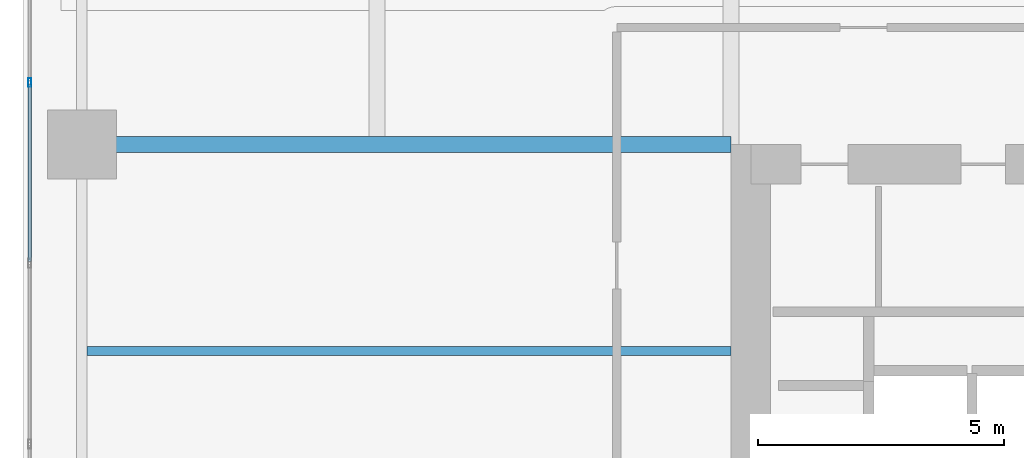
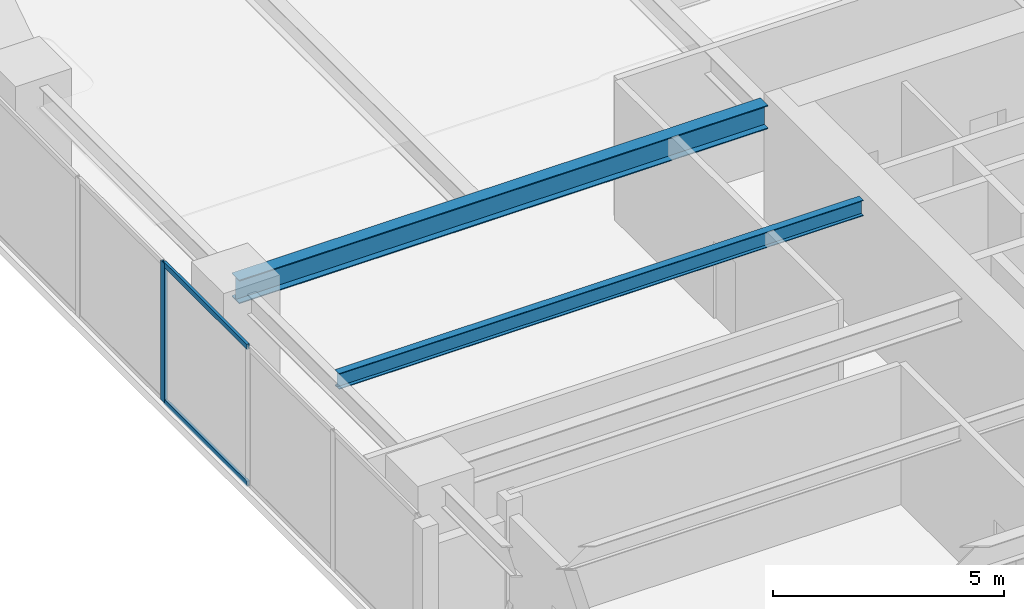
# One storey, part 6 of 31: 3 members, 2 beams, 1 element without a shape of its own.
"""IFC4 building model written with IfcOpenShell, lengths in metres."""

from ifc_helpers import new_model, si_unit, direction, frame, origin, origin_2d, place, context, subcontext, project, spatial, hollow_rectangle, i_section, extrude, material, layer, layer_set, material_profile, profile_set, type_object, element, aggregate, save


model = new_model("IFC4")

# Units and contexts
model_context = context("Model", 3, precision=1e-05, world=origin(), true_north=direction((0.0, 1.0)))
body_context = subcontext(model_context, "Body", "Model", "MODEL_VIEW")
ifc_project = project(units=[si_unit("LENGTHUNIT", "METRE"), si_unit("AREAUNIT", "SQUARE_METRE"), si_unit("VOLUMEUNIT", "CUBIC_METRE"), si_unit("PLANEANGLEUNIT", "RADIAN"), si_unit("MASSUNIT", "GRAM", prefix="KILO")], contexts=[model_context])

# Site, building, storey
site_placement = place(None, origin())
site = spatial("IfcSite", under=ifc_project, at=site_placement, CompositionType="ELEMENT")
building_placement = place(site_placement, origin())
building = spatial("IfcBuilding", under=site, at=building_placement, Name="Kiyonajd Concourse Tower", CompositionType="ELEMENT")
storey_placement = place(building_placement, frame((0.0, 0.0, 158.39990234375)))
storey = spatial("IfcBuildingStorey", under=building, at=storey_placement, Name="L40", CompositionType="ELEMENT", Elevation=158.39990234375)

# Beams
ifc_material_1 = material(Name="Steel ASTM A992 Grade 50", Category="steel")
ifc_material_profile_1 = material_profile(ifc_material_1, i_section(OverallWidth=0.180908203125, OverallDepth=0.4169921875, WebThickness=0.010986328125, FlangeThickness=0.018310546875, at=origin_2d()), Name="W410X85")
ifc_profile_set_1 = profile_set([ifc_material_profile_1], Name="Steel ASTM A992 Grade 50")
beam_type_1 = type_object("IfcBeamType", Name="BM-JST-410", PredefinedType="JOIST", material=ifc_profile_set_1)
beam_1_placement = place(storey_placement, frame((19.306884765625, 40.199951171875, 3.4716796875), z_axis=(1.0, 0.0, 0.0), x_axis=(0.0, 1.0, 0.0)))
element("IfcBeam", 1, at=beam_1_placement, inside=storey, type_object=beam_type_1, Name="L40 West Secondary Floor Joist", PredefinedType="JOIST", context=body_context, shape_type="SweptSolid", body=[
    extrude(i_section(OverallWidth=0.180908203125, OverallDepth=0.4169921875, WebThickness=0.010986328125, FlangeThickness=0.018310546875, at=origin_2d()), origin(), (0.0, 0.0, 1.0), 13.093017578125),
])
ifc_material_profile_2 = material_profile(ifc_material_1, i_section(OverallWidth=0.326904296875, OverallDepth=0.6220703125, WebThickness=0.015380859375, FlangeThickness=0.0244140625, at=origin_2d()), Name="W610X195")
ifc_profile_set_2 = profile_set([ifc_material_profile_2], Name="Steel ASTM A992 Grade 50")
beam_type_2 = type_object("IfcBeamType", Name="BM-TWR-610A", PredefinedType="BEAM", material=ifc_profile_set_2)
beam_2_placement = place(storey_placement, frame((19.199951171875, 44.39990234375, 3.369140625), z_axis=(1.0, 0.0, 0.0), x_axis=(0.0, 1.0, 0.0)))
element("IfcBeam", 2, at=beam_2_placement, inside=storey, type_object=beam_type_2, Name="L40 West Lease Girder", PredefinedType="BEAM", context=body_context, shape_type="SweptSolid", body=[
    extrude(i_section(OverallWidth=0.326904296875, OverallDepth=0.6220703125, WebThickness=0.015380859375, FlangeThickness=0.0244140625, at=origin_2d()), origin(), (0.0, 0.0, 1.0), 13.199951171875),
])

# Curtain wall, members
ifc_material_2 = material(Name="Thermally Broken Anodised Aluminium", Category="aluminium")
ifc_layer = layer(ifc_material_2, 0.179931640625)
ifc_layer_set = layer_set([ifc_layer], Name="Thermally Broken Anodised Aluminium")
curtain_wall_type = type_object("IfcCurtainWallType", Name="CW-SYS-03", PredefinedType="NOTDEFINED", material=ifc_layer_set)
curtain_wall_placement = place(storey_placement, origin())
curtain_wall = element("IfcCurtainWall", 3, at=curtain_wall_placement, inside=storey, type_object=curtain_wall_type, Name="L40 Unitised Curtain Wall CW3", PredefinedType="NOTDEFINED")
ifc_material_profile_3 = material_profile(ifc_material_2, hollow_rectangle(XDim=0.06494140625, YDim=0.179931640625, WallThickness=0.00390625, at=origin_2d()), Name="MULL-65x180")
ifc_profile_set_3 = profile_set([ifc_material_profile_3], Name="Thermally Broken Anodised Aluminium")
member_type_1 = type_object("IfcMemberType", Name="MB-CW-MULL1", PredefinedType="MULLION", material=ifc_profile_set_3)
member_1_placement = place(storey_placement, frame((18.139892578125, 45.660888671875, 0.0), z_axis=(0.0, 0.0, 1.0), x_axis=(-1.0, 0.0, 0.0)))
member_1 = element("IfcMember", 4, at=member_1_placement, type_object=member_type_1, Name="CW3 mullion 4", PredefinedType="MULLION", context=body_context, shape_type="SweptSolid", body=[
    extrude(hollow_rectangle(XDim=0.06494140625, YDim=0.179931640625, WallThickness=0.00390625, at=origin_2d()), origin(), (0.0, 0.0, 1.0), 3.68017578125),
])
ifc_material_profile_4 = material_profile(ifc_material_2, hollow_rectangle(XDim=0.06494140625, YDim=0.139892578125, WallThickness=0.00390625, at=origin_2d()), Name="TRAN-65x140")
ifc_profile_set_4 = profile_set([ifc_material_profile_4], Name="Thermally Broken Anodised Aluminium")
member_type_2 = type_object("IfcMemberType", Name="MB-CW-TRAN1", PredefinedType="USERDEFINED", material=ifc_profile_set_4)
member_2_placement = place(storey_placement, frame((18.139892578125, 42.016357421875, 0.03271484375), z_axis=(0.0, 1.0, 0.0), x_axis=(-1.0, 0.0, 0.0)))
member_2 = element("IfcMember", 5, at=member_2_placement, type_object=member_type_2, Name="CW3 transom 3.1", ObjectType="TRANSOM", PredefinedType="USERDEFINED", context=body_context, shape_type="SweptSolid", body=[
    extrude(hollow_rectangle(XDim=0.06494140625, YDim=0.139892578125, WallThickness=0.00390625, at=origin_2d()), origin(), (0.0, 0.0, 1.0), 3.612060546875),
])
member_3_placement = place(storey_placement, frame((18.139892578125, 42.016357421875, 3.647705078125), z_axis=(0.0, 1.0, 0.0), x_axis=(-1.0, 0.0, 0.0)))
member_3 = element("IfcMember", 6, at=member_3_placement, type_object=member_type_2, Name="CW3 transom 3.2", ObjectType="TRANSOM", PredefinedType="USERDEFINED", context=body_context, shape_type="SweptSolid", body=[
    extrude(hollow_rectangle(XDim=0.06494140625, YDim=0.139892578125, WallThickness=0.00390625, at=origin_2d()), origin(), (0.0, 0.0, 1.0), 3.612060546875),
])
aggregate(curtain_wall, [member_1, member_2, member_3])

save(model, "model.ifc")
